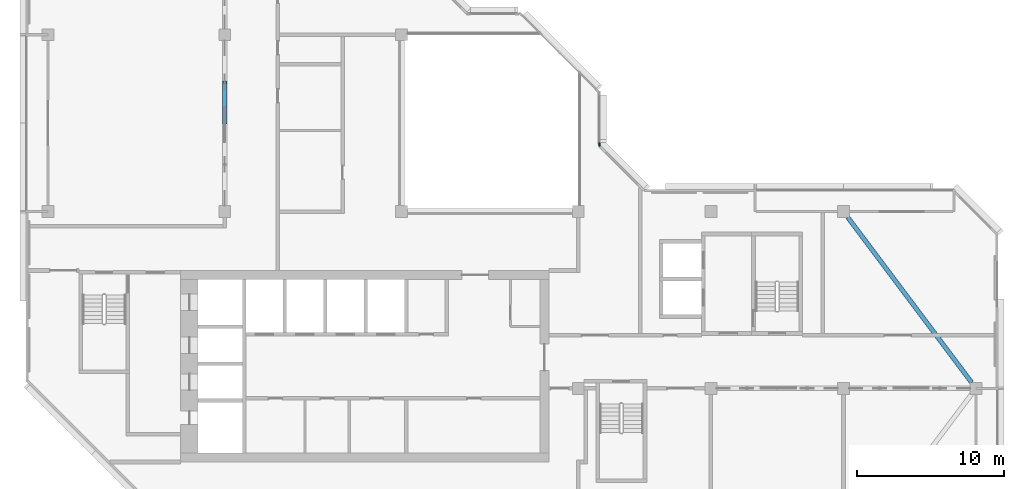
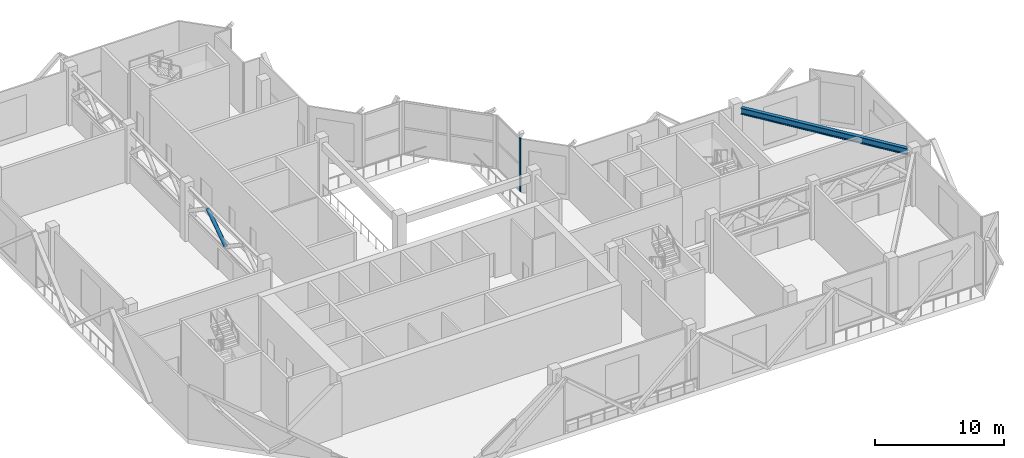
# One storey, part 2 of 13: 2 members, 1 beam, 1 element without a shape of its own.
"""IFC4 building model written with IfcOpenShell, lengths in metres."""

from ifc_helpers import new_model, si_unit, direction, frame, origin, origin_2d, place, context, subcontext, project, spatial, rectangle, hollow_circle, i_section, extrude, material, layer, layer_set, material_profile, profile_set, type_object, element, aggregate, save


model = new_model("IFC4")

# Units and contexts
model_context = context("Model", 3, precision=1e-05, world=origin(), true_north=direction((0.0, 1.0)))
body_context = subcontext(model_context, "Body", "Model", "MODEL_VIEW")
ifc_project = project(units=[si_unit("LENGTHUNIT", "METRE"), si_unit("AREAUNIT", "SQUARE_METRE"), si_unit("VOLUMEUNIT", "CUBIC_METRE"), si_unit("PLANEANGLEUNIT", "RADIAN"), si_unit("MASSUNIT", "GRAM", prefix="KILO")], contexts=[model_context])

# Site, building, storey
site_placement = place(None, origin())
site = spatial("IfcSite", under=ifc_project, at=site_placement, CompositionType="ELEMENT")
building_placement = place(site_placement, origin())
building = spatial("IfcBuilding", under=site, at=building_placement, Name="Chenar Terraces", CompositionType="ELEMENT")
storey_placement = place(building_placement, frame((0.0, 0.0, 322.14990234375)))
storey = spatial("IfcBuildingStorey", under=building, at=storey_placement, Name="L76", CompositionType="ELEMENT", Elevation=322.14990234375)

# Curtain wall, member
ifc_material_1 = material(Name="Aluminium framed glazing", Category="aluminium")
ifc_layer = layer(ifc_material_1, 0.14990234375)
ifc_layer_set = layer_set([ifc_layer], Name="Aluminium framed glazing")
curtain_wall_type = type_object("IfcCurtainWallType", Name="Atrium upper-zone curtain wall", PredefinedType="NOTDEFINED", material=ifc_layer_set)
curtain_wall_placement = place(storey_placement, origin())
curtain_wall = element("IfcCurtainWall", 1, at=curtain_wall_placement, inside=storey, type_object=curtain_wall_type, Name="Atrium upper-zone curtain wall", PredefinedType="NOTDEFINED")
ifc_material_2 = material(Name="Aluminium", Category="aluminium")
ifc_material_profile_1 = material_profile(ifc_material_2, rectangle(XDim=0.10009765625, YDim=0.239990234375, at=origin_2d()), Name="Atrium upper-zone glazing mullion 100 x 240")
ifc_profile_set_1 = profile_set([ifc_material_profile_1], Name="Aluminium")
member_type_1 = type_object("IfcMemberType", Name="Atrium upper-zone glazing mullion 100 x 240", PredefinedType="MULLION", material=ifc_profile_set_1)
member_1_placement = place(storey_placement, frame((37.425048828125, 28.550048828125, 0.0), z_axis=(0.0, 0.0, 1.0), x_axis=(-1.0, 0.0, 0.0)))
member_1 = element("IfcMember", 2, at=member_1_placement, type_object=member_type_1, Name="CW8-1 mullion 1", PredefinedType="MULLION", context=body_context, shape_type="SweptSolid", body=[
    extrude(rectangle(XDim=0.10009765625, YDim=0.239990234375, at=origin_2d()), origin(), (0.0, 0.0, 1.0), 5.050048828125),
])
aggregate(curtain_wall, [member_1])

# Member
ifc_material_3 = material(Name="Structural steel S355", Category="steel")
ifc_material_profile_2 = material_profile(ifc_material_3, hollow_circle(Radius=0.161865234375, WallThickness=0.012451171875, at=origin_2d()), Name="CHS 323.9x12.5")
ifc_profile_set_2 = profile_set([ifc_material_profile_2], Name="Structural steel S355")
member_type_2 = type_object("IfcMemberType", Name="Belt truss diagonal CHS 323.9x12.5 S355", PredefinedType="BRACE", material=ifc_profile_set_2)
member_2_placement = place(storey_placement, frame((12.0, 30.0, 2.81005859375), z_axis=(0.0, 0.830208209119, 0.557453432594), x_axis=(-1.0, 0.0, 0.0)))
element("IfcMember", 3, at=member_2_placement, inside=storey, type_object=member_type_2, Name="Belt truss L76 B1 diagonal 3", PredefinedType="BRACE", context=body_context, shape_type="SweptSolid", body=[
    extrude(hollow_circle(Radius=0.161865234375, WallThickness=0.012451171875, at=origin_2d()), origin(), (0.0, 0.0, 1.0), 3.372802734375),
])

# Beam
ifc_material_4 = material(Name="Structural steel S355", Category="steel")
ifc_material_profile_3 = material_profile(ifc_material_4, i_section(OverallWidth=0.300048828125, OverallDepth=0.60009765625, WebThickness=0.015380859375, FlangeThickness=0.030029296875, FilletRadius=0.027099609375, at=origin_2d()), Name="HEB 600")
ifc_profile_set_3 = profile_set([ifc_material_profile_3], Name="Structural steel S355")
beam_type = type_object("IfcBeamType", Name="Terrace girder HEB 600 S355", PredefinedType="BEAM", material=ifc_profile_set_3)
beam_placement = place(storey_placement, frame((54.300048828125, 23.60009765625, 4.75), z_axis=(0.599988839305, -0.800008370399, 0.0), x_axis=(0.800008370399, 0.599988839305, 0.0)))
element("IfcBeam", 4, at=beam_placement, inside=storey, type_object=beam_type, Name="Terrace girder L77 2", PredefinedType="BEAM", context=body_context, shape_type="SweptSolid", body=[
    extrude(i_section(OverallWidth=0.300048828125, OverallDepth=0.60009765625, WebThickness=0.015380859375, FlangeThickness=0.030029296875, FilletRadius=0.027099609375, at=origin_2d()), origin(), (0.0, 0.0, 1.0), 14.0),
])

save(model, "model.ifc")
